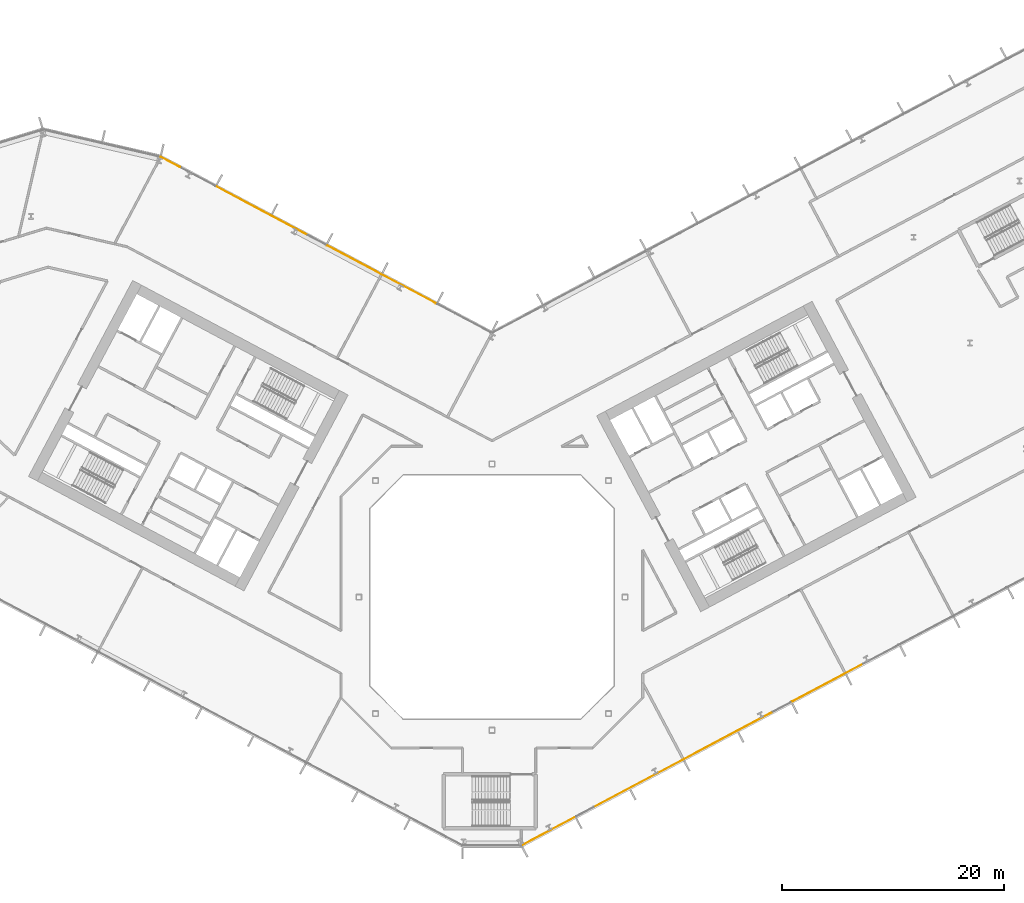
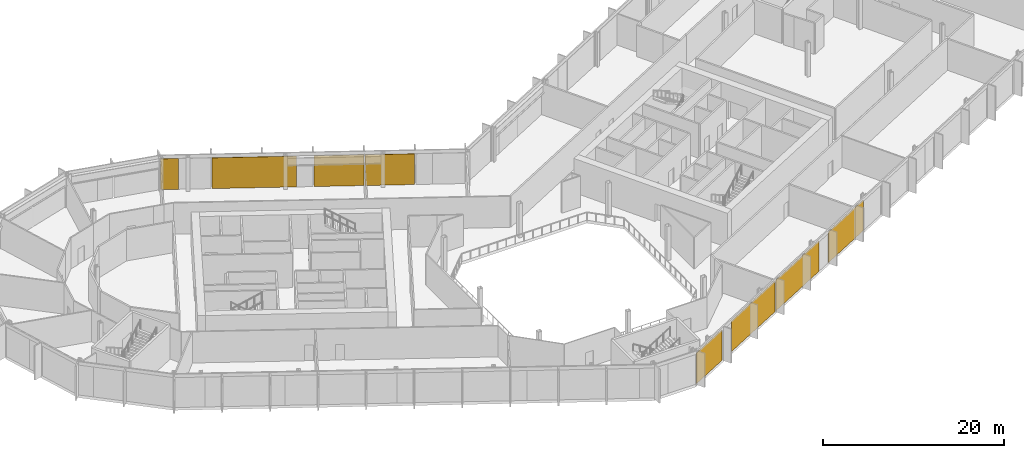
# One storey, part 25 of 30: 8 coverings, 2 elements without a shape of their own.
"""IFC4 building model written with IfcOpenShell, lengths in metres."""

from ifc_helpers import new_model, si_unit, direction, frame, origin, origin_2d, place, context, subcontext, project, spatial, rectangle, extrude, material, layer, layer_set, type_object, element, aggregate, save


model = new_model("IFC4")

# Units and contexts
model_context = context("Model", 3, precision=1e-05, world=origin(), true_north=direction((0.0, 1.0)))
body_context = subcontext(model_context, "Body", "Model", "MODEL_VIEW")
ifc_project = project(units=[si_unit("LENGTHUNIT", "METRE"), si_unit("AREAUNIT", "SQUARE_METRE"), si_unit("VOLUMEUNIT", "CUBIC_METRE"), si_unit("PLANEANGLEUNIT", "RADIAN"), si_unit("MASSUNIT", "GRAM", prefix="KILO")], contexts=[model_context])

# Site, building, storey
site_placement = place(None, origin())
site = spatial("IfcSite", under=ifc_project, at=site_placement, CompositionType="ELEMENT")
building_placement = place(site_placement, origin())
building = spatial("IfcBuilding", under=site, at=building_placement, Name="Cormorant Relay Tower", CompositionType="ELEMENT")
storey_placement = place(building_placement, frame((0.0, 0.0, 80.0)))
storey = spatial("IfcBuildingStorey", under=building, at=storey_placement, Name="L15", CompositionType="ELEMENT", Elevation=80.0)

# Curtain wall, coverings
ifc_material_1 = material(Name="Aluminium 6063-T6 anodised bronze", Category="aluminium")
ifc_layer_1 = layer(ifc_material_1, 0.199951171875)
ifc_layer_set_1 = layer_set([ifc_layer_1], Name="CW1 unitised bronze curtain wall with vertical fins")
curtain_wall_type = type_object("IfcCurtainWallType", Name="CW1 unitised bronze curtain wall with vertical fins", PredefinedType="NOTDEFINED", material=ifc_layer_set_1)
curtain_wall_1_placement = place(storey_placement, origin())
curtain_wall_1 = element("IfcCurtainWall", 1, at=curtain_wall_1_placement, inside=storey, type_object=curtain_wall_type, Name="CW1 curtain wall 2", PredefinedType="NOTDEFINED")
ifc_material_2 = material(Name="Pale bronze anodised aluminium insulated panel", Category="aluminium")
ifc_layer_2 = layer(ifc_material_2, 0.0400390625)
ifc_layer_set_2 = layer_set([ifc_layer_2], Name="CW1 pale bronze insulated panel 40")
covering_type = type_object("IfcCoveringType", Name="CW1 pale bronze insulated panel 40", PredefinedType="CLADDING", material=ifc_layer_set_2)
covering_1_placement = place(storey_placement, frame((5.091552734375, -21.099365234375, 0.0), z_axis=(0.0, 0.0, 1.0), x_axis=(0.882947592859, 0.469471562786, 0.0)))
covering_1 = element("IfcCovering", 2, at=covering_1_placement, type_object=covering_type, Name="CW1 panel S00", PredefinedType="CLADDING", context=body_context, shape_type="SweptSolid", body=[
    extrude(rectangle(XDim=5.36181640625, YDim=0.0400390625, at=origin_2d()), origin(), (0.0, 0.0, 1.0), 4.14990234375),
])
covering_2_placement = place(storey_placement, frame((13.186279296875, -16.79541015625, 0.0), z_axis=(0.0, 0.0, 1.0), x_axis=(0.882947592859, 0.469471562786, 0.0)))
covering_2 = element("IfcCovering", 3, at=covering_2_placement, type_object=covering_type, Name="CW1 panel S02", PredefinedType="CLADDING", context=body_context, shape_type="SweptSolid", body=[
    extrude(rectangle(XDim=9.07373046875, YDim=0.0400390625, at=origin_2d()), origin(), (0.0, 0.0, 1.0), 4.14990234375),
])
covering_3_placement = place(storey_placement, frame((21.330322265625, -12.465087890625, 0.0), z_axis=(0.0, 0.0, 1.0), x_axis=(0.882947592859, 0.469471562786, 0.0)))
covering_3 = element("IfcCovering", 4, at=covering_3_placement, type_object=covering_type, Name="CW1 panel S03", PredefinedType="CLADDING", context=body_context, shape_type="SweptSolid", body=[
    extrude(rectangle(XDim=9.07373046875, YDim=0.0400390625, at=origin_2d()), origin(), (0.0, 0.0, 1.0), 4.14990234375),
])
covering_4_placement = place(storey_placement, frame((30.26904296875, -7.71240234375, 0.0), z_axis=(0.0, 0.0, 1.0), x_axis=(0.882947592859, 0.469471562786, 0.0)))
covering_4 = element("IfcCovering", 5, at=covering_4_placement, type_object=covering_type, Name="CW1 panel S05", PredefinedType="CLADDING", context=body_context, shape_type="SweptSolid", body=[
    extrude(rectangle(XDim=7.273681640625, YDim=0.0400390625, at=origin_2d()), origin(), (0.0, 0.0, 1.0), 4.14990234375),
])
aggregate(curtain_wall_1, [covering_1, covering_2, covering_3, covering_4])

curtain_wall_2_placement = place(storey_placement, origin())
curtain_wall_2 = element("IfcCurtainWall", 6, at=curtain_wall_2_placement, inside=storey, type_object=curtain_wall_type, Name="CW1 curtain wall 7", PredefinedType="NOTDEFINED")
covering_5_placement = place(storey_placement, frame((-7.458984375, 27.772705078125, 0.0), z_axis=(0.0, 0.0, 1.0), x_axis=(-0.882947592859, 0.469471562786, 0.0)))
covering_5 = element("IfcCovering", 7, at=covering_5_placement, type_object=covering_type, Name="CW1 panel S02", PredefinedType="CLADDING", context=body_context, shape_type="SweptSolid", body=[
    extrude(rectangle(XDim=5.489013671875, YDim=0.0400390625, at=origin_2d()), origin(), (0.0, 0.0, 1.0), 4.14990234375),
])
covering_6_placement = place(storey_placement, frame((-12.43798828125, 30.419921875, 0.0), z_axis=(0.0, 0.0, 1.0), x_axis=(-0.882947592859, 0.469471562786, 0.0)))
covering_6 = element("IfcCovering", 8, at=covering_6_placement, type_object=covering_type, Name="CW1 panel S03", PredefinedType="CLADDING", context=body_context, shape_type="SweptSolid", body=[
    extrude(rectangle(XDim=5.489013671875, YDim=0.0400390625, at=origin_2d()), origin(), (0.0, 0.0, 1.0), 4.14990234375),
])
covering_7_placement = place(storey_placement, frame((-20.701171875, 34.813720703125, 0.0), z_axis=(0.0, 0.0, 1.0), x_axis=(-0.882947592859, 0.469471562786, 0.0)))
covering_7 = element("IfcCovering", 9, at=covering_7_placement, type_object=covering_type, Name="CW1 panel S05", PredefinedType="CLADDING", context=body_context, shape_type="SweptSolid", body=[
    extrude(rectangle(XDim=9.327880859375, YDim=0.0400390625, at=origin_2d()), origin(), (0.0, 0.0, 1.0), 4.14990234375),
])
covering_8_placement = place(storey_placement, frame((-28.997314453125, 39.224853515625, 0.0), z_axis=(0.0, 0.0, 1.0), x_axis=(-0.882947592859, 0.469471562786, 0.0)))
covering_8 = element("IfcCovering", 10, at=covering_8_placement, type_object=covering_type, Name="CW1 panel S07", PredefinedType="CLADDING", context=body_context, shape_type="SweptSolid", body=[
    extrude(rectangle(XDim=1.964111328125, YDim=0.0400390625, at=origin_2d()), origin(), (0.0, 0.0, 1.0), 4.14990234375),
])
aggregate(curtain_wall_2, [covering_5, covering_6, covering_7, covering_8])

save(model, "model.ifc")
